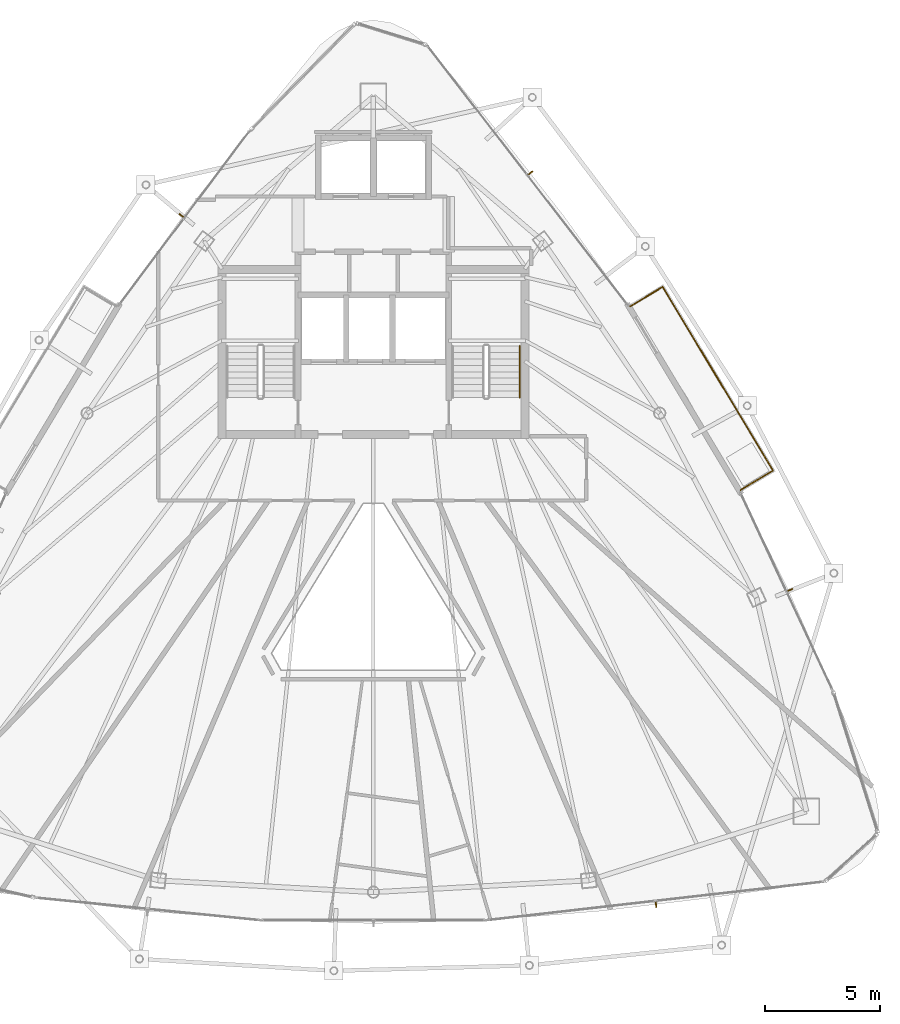
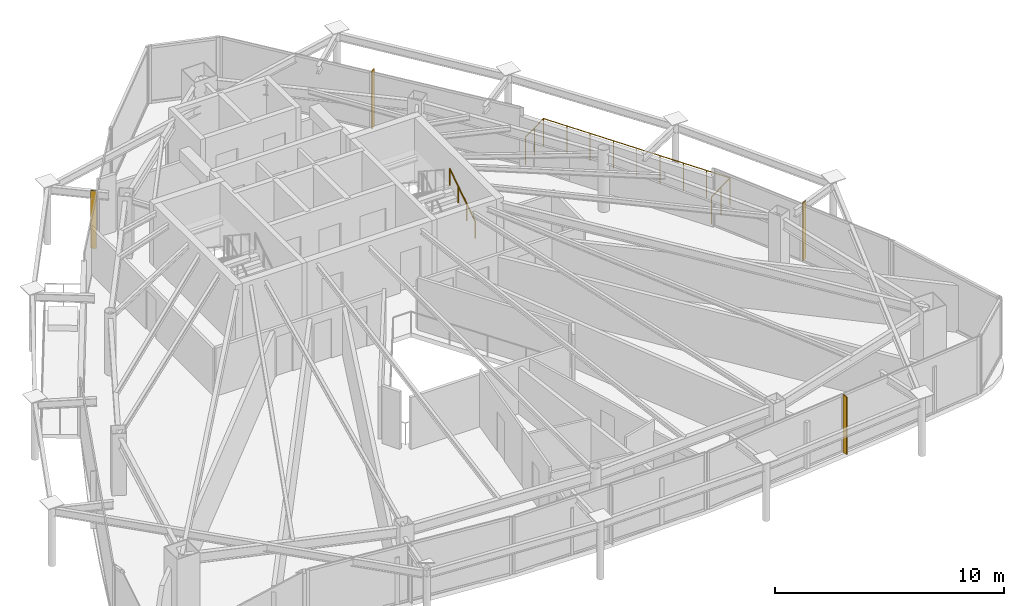
# One storey, part 28 of 28: 4 shading devices, 2 railings.
"""IFC4 building model written with IfcOpenShell, lengths in metres."""

import ifcopenshell
import ifcopenshell.guid

model = None  # the IFC model being written
_history = None  # IfcOwnerHistory: only IFC2X3 demands one
_inside = {}  # id of a spatial element -> (the spatial element, [elements in it])
_under = {}  # id of a project, library or spatial element -> (it, [spatial elements below it])
_declared = {}  # id of a project -> (the project, [libraries it declares])
_typed = {}  # id of a type object -> (the type object, [elements of that type])
_made_of = {}  # id of a material, layer set ... -> (it, [elements and type objects made of it])


def new_model(schema):
    """Start an empty IFC model of exactly this schema.

    Asked for "IFC4X3", IfcOpenShell would pick the latest addendum, in which some entities
    have other attributes; the version numbers below select the first issue.
    IFC2X3 requires an IfcOwnerHistory on every rooted entity: one is made here for all.
    """
    global model, _history
    if schema == "IFC4X3":
        model = ifcopenshell.file(schema_version=(4, 3, 0, 0))
    else:
        model = ifcopenshell.file(schema=schema)
    _inside.clear()
    _under.clear()
    _declared.clear()
    _typed.clear()
    _made_of.clear()
    _history = None
    if model.schema == "IFC2X3":
        org = make("IfcOrganization", Name="unknown")
        user = make(
            "IfcPersonAndOrganization",
            ThePerson=make("IfcPerson", FamilyName="unknown"),
            TheOrganization=org,
        )
        app = make(
            "IfcApplication",
            ApplicationDeveloper=org,
            Version="unknown",
            ApplicationFullName="unknown",
            ApplicationIdentifier="unknown",
        )
        _history = make(
            "IfcOwnerHistory",
            OwningUser=user,
            OwningApplication=app,
            ChangeAction="ADDED",
            CreationDate=0,
        )
    return model


def make(cls, **values):
    """One entity of the class cls with the attributes given. An attribute that is None is left unset."""
    return model.create_entity(
        cls, **{name: value for name, value in values.items() if value is not None}
    )


def rooted(cls, **values):
    """An entity with a GlobalId (a new one), such as an element, a storey or a relation."""
    return make(cls, GlobalId=ifcopenshell.guid.new(), OwnerHistory=_history, **values)


def si_unit(unit_type, name, prefix=None):
    """IfcSIUnit, for example si_unit("LENGTHUNIT", "METRE", prefix="MILLI")."""
    return make("IfcSIUnit", UnitType=unit_type, Prefix=prefix, Name=name)


def assignment(units):
    """IfcUnitAssignment: the units of a project."""
    return None if units is None else make("IfcUnitAssignment", Units=units)


def point(xyz):
    """IfcCartesianPoint."""
    return None if xyz is None else make("IfcCartesianPoint", Coordinates=xyz)


def direction(xyz):
    """IfcDirection."""
    return None if xyz is None else make("IfcDirection", DirectionRatios=xyz)


def frame(location, z_axis=None, x_axis=None):
    """IfcAxis2Placement3D, a coordinate frame: its origin and axes. An axis left out is left unset."""
    return make(
        "IfcAxis2Placement3D",
        Location=point(location),
        Axis=direction(z_axis),
        RefDirection=direction(x_axis),
    )


def frame_2d(location, x_axis=None):
    """IfcAxis2Placement2D, a coordinate frame in the plane: its origin and x axis."""
    return make(
        "IfcAxis2Placement2D", Location=point(location), RefDirection=direction(x_axis)
    )


def origin():
    """The frame at (0, 0, 0) with its axes left unset."""
    return frame((0.0, 0.0, 0.0))


def origin_2d():
    """The frame at (0, 0) in the plane with its x axis left unset."""
    return frame_2d((0.0, 0.0))


def place(relative_to, where):
    """IfcLocalPlacement: puts the frame where relative to a parent placement (None: the world)."""
    return make(
        "IfcLocalPlacement", PlacementRelTo=relative_to, RelativePlacement=where
    )


def context(
    kind, dimensions, precision=None, world=None, true_north=None, identifier=None
):
    """IfcGeometricRepresentationContext, for example the 3D "Model" context."""
    return make(
        "IfcGeometricRepresentationContext",
        ContextIdentifier=identifier,
        ContextType=kind,
        CoordinateSpaceDimension=dimensions,
        Precision=precision,
        WorldCoordinateSystem=world,
        TrueNorth=true_north,
    )


def subcontext(parent, identifier, kind, view, scale=None):
    """IfcGeometricRepresentationSubContext, for example "Body" below "Model"."""
    return make(
        "IfcGeometricRepresentationSubContext",
        ContextIdentifier=identifier,
        ContextType=kind,
        ParentContext=parent,
        TargetScale=scale,
        TargetView=view,
    )


def project(units=None, contexts=None):
    """IfcProject with its units and contexts."""
    return rooted(
        "IfcProject",
        Name="project",
        RepresentationContexts=contexts,
        UnitsInContext=assignment(units),
    )


def spatial(cls, under=None, at=None, **own):
    """A site, building, storey or space (cls), placed at a placement, below another one or the project."""
    s = rooted(cls, ObjectPlacement=at, **own)
    if under is not None:
        _under.setdefault(under.id(), (under, []))[1].append(s)
    return s


def profile(cls, at=None, kind="AREA", **sizes):
    """A parametric profile (cls). Its sizes go by their IFC names, for example OverallWidth=200.0."""
    return make(cls, ProfileType=kind, Position=at, **sizes)


def rectangle(**sizes):
    """IfcRectangleProfileDef."""
    return profile("IfcRectangleProfileDef", **sizes)


def circle(**sizes):
    """IfcCircleProfileDef."""
    return profile("IfcCircleProfileDef", **sizes)


def extrude(swept, where, along, depth):
    """IfcExtrudedAreaSolid: the profile swept, set in the frame where, extruded along a direction by depth."""
    return make(
        "IfcExtrudedAreaSolid",
        SweptArea=swept,
        Position=where,
        ExtrudedDirection=direction(along),
        Depth=depth,
    )


def shape(context_of_items, identifier, shape_type, items):
    """IfcShapeRepresentation: the items that make up one representation, for example the "Body"."""
    return make(
        "IfcShapeRepresentation",
        ContextOfItems=context_of_items,
        RepresentationIdentifier=identifier,
        RepresentationType=shape_type,
        Items=items,
    )


def material(Name=None, Category=None):
    """IfcMaterial."""
    return make("IfcMaterial", Name=Name, Category=Category)


def layer(
    of_material, thickness, ventilated=None, Name=None, Category=None, Priority=None
):
    """IfcMaterialLayer: one layer of a wall or slab, of a material (None: an air gap)."""
    return make(
        "IfcMaterialLayer",
        Material=of_material,
        LayerThickness=thickness,
        IsVentilated=ventilated,
        Name=Name,
        Category=Category,
        Priority=Priority,
    )


def layer_set(layers, Name=None):
    """IfcMaterialLayerSet."""
    return make("IfcMaterialLayerSet", MaterialLayers=layers, LayerSetName=Name)


def made_of(thing, what):
    """Note that an element or type object is made of a material, layer set ...; save() writes the relation."""
    if what is not None:
        _made_of.setdefault(what.id(), (what, []))[1].append(thing)
    return thing


def type_object(cls, material=None, **own):
    """A type object (cls), such as IfcWallType, which elements share."""
    return made_of(rooted(cls, **own), material)


def element(
    cls,
    number,
    at=None,
    inside=None,
    cuts=None,
    type_object=None,
    material=None,
    context=None,
    identifier="Body",
    shape_type=None,
    held_by="IfcProductDefinitionShape",
    body=None,
    shapes=None,
    **own,
):
    """One element of the class cls, such as IfcWall. Its Tag is "e" and its number.

    at: its placement. inside: the storey or other place that contains it. cuts: it is an
    opening in that element (IfcRelVoidsElement). A single representation is given by context,
    identifier, shape_type and body (its items); several are given by shapes. held_by: the class
    of the entity that holds the representations. save() writes the other relations.
    """
    e = rooted(cls, Tag="e%d" % number, ObjectPlacement=at, **own)
    if body is not None:
        shapes = [shape(context, identifier, shape_type, body)]
    if shapes is not None:
        e.Representation = make(held_by, Representations=shapes)
    if inside is not None:
        _inside.setdefault(inside.id(), (inside, []))[1].append(e)
    if cuts is not None:
        rooted(
            "IfcRelVoidsElement", RelatingBuildingElement=cuts, RelatedOpeningElement=e
        )
    if type_object is not None:
        _typed.setdefault(type_object.id(), (type_object, []))[1].append(e)
    return made_of(e, material)


def aggregate(whole, parts):
    """IfcRelAggregates: a whole, such as a stair, and the parts it consists of."""
    return rooted("IfcRelAggregates", RelatingObject=whole, RelatedObjects=parts)


def save(model, path):
    """Write the relations noted so far, then the file.

    IfcRelAggregates (storeys below a building ...), IfcRelContainedInSpatialStructure (elements
    in a storey), IfcRelDefinesByType, IfcRelAssociatesMaterial and IfcRelDeclares: one each for
    every whole, place, type object, material and project.
    """
    for whole, parts in _under.values():
        aggregate(whole, parts)
    for where, things in _inside.values():
        rooted(
            "IfcRelContainedInSpatialStructure",
            RelatedElements=things,
            RelatingStructure=where,
        )
    for kind, things in _typed.values():
        rooted("IfcRelDefinesByType", RelatedObjects=things, RelatingType=kind)
    for what, things in _made_of.values():
        rooted("IfcRelAssociatesMaterial", RelatedObjects=things, RelatingMaterial=what)
    for by, libraries in _declared.values():
        rooted("IfcRelDeclares", RelatingContext=by, RelatedDefinitions=libraries)
    model.write(path)


model = new_model("IFC4")

# Units and contexts
model_context = context("Model", 3, precision=1e-05, world=origin(), true_north=direction((0.0, 1.0)))
body_context = subcontext(model_context, "Body", "Model", "MODEL_VIEW")
ifc_project = project(units=[si_unit("LENGTHUNIT", "METRE"), si_unit("AREAUNIT", "SQUARE_METRE"), si_unit("VOLUMEUNIT", "CUBIC_METRE"), si_unit("PLANEANGLEUNIT", "RADIAN"), si_unit("MASSUNIT", "GRAM", prefix="KILO")], contexts=[model_context])

# Site, building, storey
site_placement = place(None, origin())
site = spatial("IfcSite", under=ifc_project, at=site_placement, CompositionType="ELEMENT")
building_placement = place(site_placement, origin())
building = spatial("IfcBuilding", under=site, at=building_placement, Name="Orvanel Arch Residences", CompositionType="ELEMENT")
storey_placement = place(building_placement, frame((0.0, 0.0, 266.75)))
storey = spatial("IfcBuildingStorey", under=building, at=storey_placement, Name="L76", CompositionType="ELEMENT", Elevation=266.75)

# Shading devices
ifc_material_1 = material(Name="Bronze-anodised aluminium AA6063-T6", Category="aluminium")
ifc_layer = layer(ifc_material_1, 0.050048828125)
ifc_layer_set = layer_set([ifc_layer], Name="Bronze-anodised aluminium AA6063-T6")
shading_device_type = type_object("IfcShadingDeviceType", Name="FIN-BRZ-260", PredefinedType="USERDEFINED", material=ifc_layer_set)
for number, where, z_axis, x_axis, name in (
    (1, (24.669921875, 36.218994140625, 0.0), (0.0, 0.0, 1.0), (-0.799684658487, 0.600420225326, 0.0), "L76 Anodised Bronze Mullion FIN 01"),
    (2, (45.26904296875, 6.30810546875, 0.0), (0.0, 0.0, 1.0), (0.113203213768, -0.993571855677, 0.0), "L76 Anodised Bronze Mullion FIN 01"),
    (3, (51.08203125, 19.9599609375, 0.0), (0.0, 0.0, 1.0), (0.906307787037, 0.422618261741, 0.0), "L76 Anodised Bronze Mullion FIN 01"),
    (4, (39.81298828125, 38.070068359375, 0.0), (0.0, 0.0, 1.0), (0.791223532967, 0.611527040186, 0.0), "L76 Anodised Bronze Mullion FIN 01"),
):
    element("IfcShadingDevice", number, at=place(storey_placement, frame(where, z_axis=z_axis, x_axis=x_axis)), inside=storey, type_object=shading_device_type, Name=name, ObjectType="FIN", PredefinedType="USERDEFINED", context=body_context, shape_type="SweptSolid", body=[
        extrude(rectangle(XDim=0.260009765625, YDim=0.050048828125, at=origin_2d()), origin(), (0.0, 0.0, 1.0), 3.06005859375),
    ])

# Railings
railing_type_1 = type_object("IfcRailingType", Name="RL-BAL-1480", PredefinedType="BALUSTRADE", material=ifc_material_1)
railing_1_placement = place(storey_placement, frame((48.93994140625, 24.304931640625, 0.0)))
element("IfcRailing", 5, at=railing_1_placement, inside=storey, type_object=railing_type_1, Name="L76 Balcony Perimeter Guardrail Face 3", PredefinedType="BALUSTRADE", context=body_context, shape_type="SweptSolid", body=[
    extrude(circle(Radius=0.02392578125, at=origin_2d()), frame((0.001220703125, 0.000732421875, 1.4560546875), z_axis=(0.857545439568, 0.514408222208, 0.0), x_axis=(-0.514408222208, 0.857545439568, 0.0)), (0.0, 0.0, 1.0), 1.6376953125),
    extrude(circle(Radius=0.02392578125, at=origin_2d()), frame((1.40625, 0.84521484375, 1.4560546875), z_axis=(-0.514422430239, 0.857536916562, 0.0), x_axis=(-0.857536916562, -0.514422430239, 0.0)), (0.0, 0.0, 1.0), 9.300537109375),
    extrude(circle(Radius=0.02392578125, at=origin_2d()), frame((-3.380126953125, 8.8212890625, 1.4560546875), z_axis=(-0.857387817543, -0.514670895164, 0.0), x_axis=(0.514670895164, -0.857387817543, 0.0)), (0.0, 0.0, 1.0), 1.636962890625),
    extrude(circle(Radius=0.02099609375, at=origin_2d()), origin(), (0.0, 0.0, 1.0), 1.429931640625),
    extrude(circle(Radius=0.02099609375, at=origin_2d()), frame((0.70361328125, 0.421875, 0.0)), (0.0, 0.0, 1.0), 1.429931640625),
    extrude(circle(Radius=0.02099609375, at=origin_2d()), frame((1.406982421875, 0.843994140625, 0.0)), (0.0, 0.0, 1.0), 1.429931640625),
    extrude(circle(Radius=0.02099609375, at=origin_2d()), frame((0.808837890625, 1.84130859375, 0.0)), (0.0, 0.0, 1.0), 1.429931640625),
    extrude(circle(Radius=0.02099609375, at=origin_2d()), frame((0.21044921875, 2.83837890625, 0.0)), (0.0, 0.0, 1.0), 1.429931640625),
    extrude(circle(Radius=0.02099609375, at=origin_2d()), frame((-0.3876953125, 3.835693359375, 0.0)), (0.0, 0.0, 1.0), 1.429931640625),
    extrude(circle(Radius=0.02099609375, at=origin_2d()), frame((-0.98583984375, 4.8330078125, 0.0)), (0.0, 0.0, 1.0), 1.429931640625),
    extrude(circle(Radius=0.02099609375, at=origin_2d()), frame((-1.584228515625, 5.830322265625, 0.0)), (0.0, 0.0, 1.0), 1.429931640625),
    extrude(circle(Radius=0.02099609375, at=origin_2d()), frame((-2.182373046875, 6.82763671875, 0.0)), (0.0, 0.0, 1.0), 1.429931640625),
    extrude(circle(Radius=0.02099609375, at=origin_2d()), frame((-2.78076171875, 7.82470703125, 0.0)), (0.0, 0.0, 1.0), 1.429931640625),
    extrude(circle(Radius=0.02099609375, at=origin_2d()), frame((-3.37890625, 8.822021484375, 0.0)), (0.0, 0.0, 1.0), 1.429931640625),
    extrude(circle(Radius=0.02099609375, at=origin_2d()), frame((-4.08203125, 8.39990234375, 0.0)), (0.0, 0.0, 1.0), 1.429931640625),
    extrude(circle(Radius=0.02099609375, at=origin_2d()), frame((-4.784912109375, 7.97802734375, 0.0)), (0.0, 0.0, 1.0), 1.429931640625),
])
ifc_material_2 = material(Name="Structural steel AS/NZS 1163 C350L0 (Grade 350)", Category="steel")
railing_type_2 = type_object("IfcRailingType", Name="RL-STAIR-HAND", PredefinedType="HANDRAIL", material=ifc_material_2)
railing_2_placement = place(storey_placement, frame((39.35009765625, 28.320068359375, 0.183349609375)))
element("IfcRailing", 6, at=railing_2_placement, inside=storey, type_object=railing_type_2, Name="L76 ST-2 stair handrail 1", PredefinedType="HANDRAIL", context=body_context, shape_type="SweptSolid", body=[
    extrude(circle(Radius=0.02392578125, at=origin_2d()), frame((0.0, 0.001220703125, 0.876708984375), z_axis=(0.0, 0.836636935527, 0.547757827979), x_axis=(-1.0, 0.0, 0.0)), (0.0, 0.0, 1.0), 2.67431640625),
    extrude(circle(Radius=0.02099609375, at=origin_2d()), origin(), (0.0, 0.0, 1.0), 0.849853515625),
    extrude(circle(Radius=0.02099609375, at=origin_2d()), frame((0.0, 0.74658203125, 0.48876953125)), (0.0, 0.0, 1.0), 0.849853515625),
    extrude(circle(Radius=0.02099609375, at=origin_2d()), frame((0.0, 1.493408203125, 0.977783203125)), (0.0, 0.0, 1.0), 0.849853515625),
    extrude(circle(Radius=0.02099609375, at=origin_2d()), frame((0.0, 2.239990234375, 1.466552734375)), (0.0, 0.0, 1.0), 0.849853515625),
])

save(model, "model.ifc")
